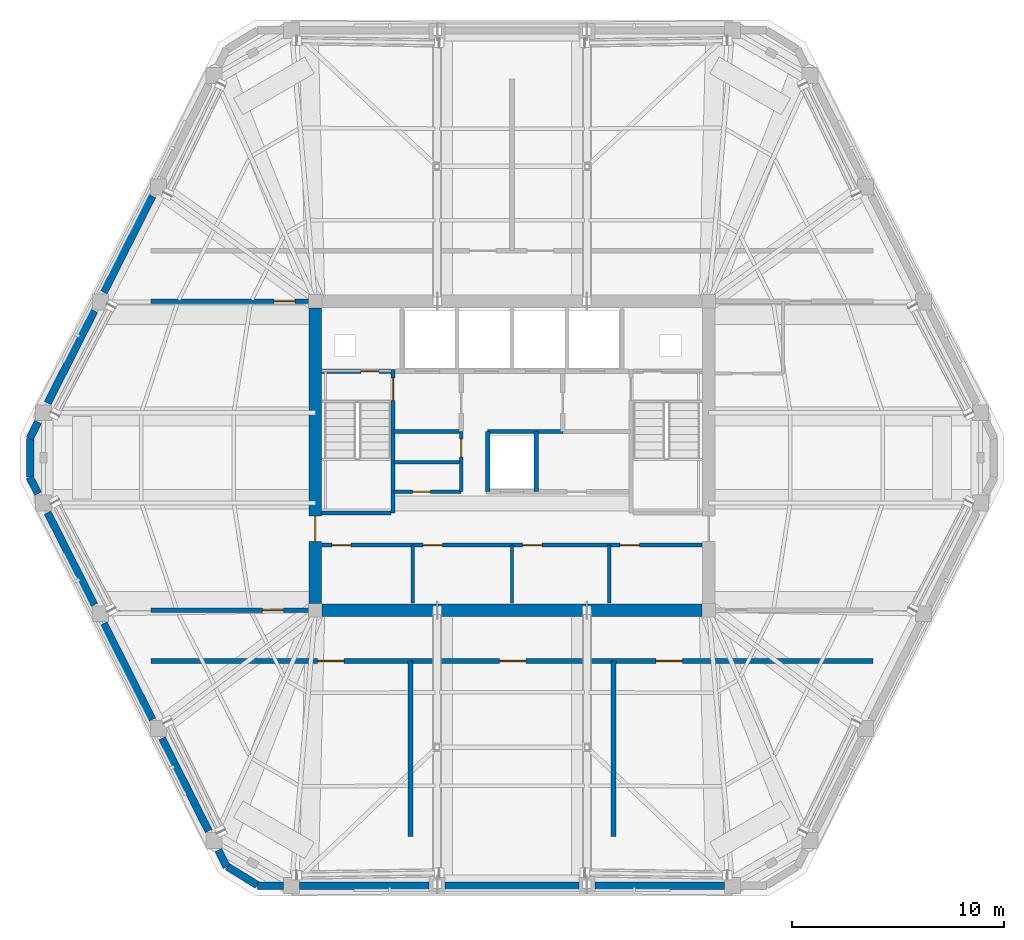
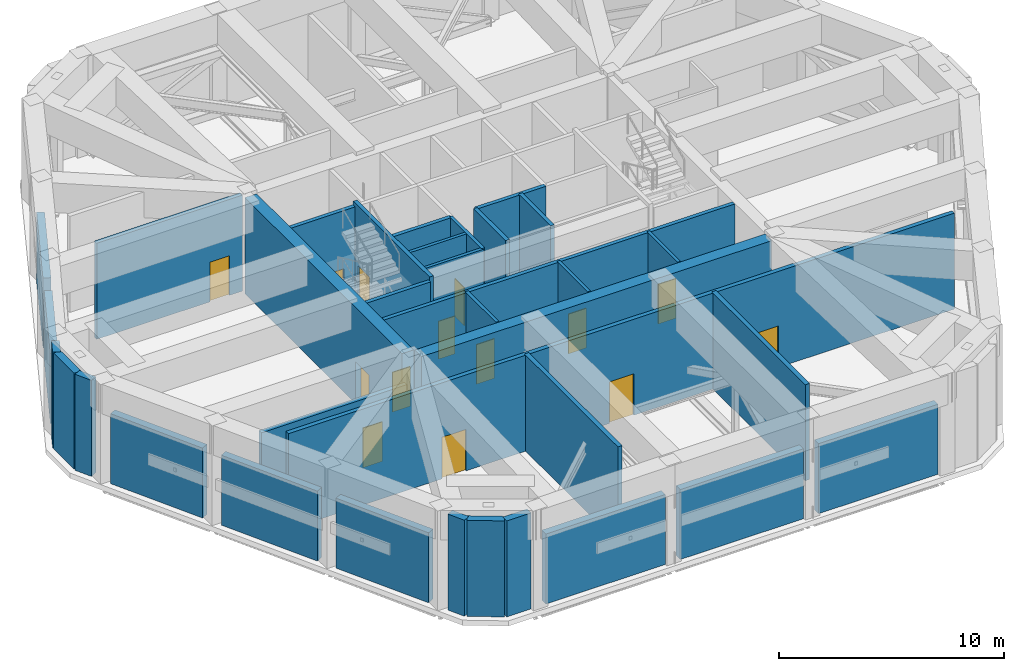
# One storey, part 10 of 15: 35 walls, 14 doors, 14 openings.
"""IFC4 building model written with IfcOpenShell, lengths in metres."""

from ifc_helpers import new_model, si_unit, direction, frame, frame_2d, origin, place, context, subcontext, project, spatial, rectangle, extrude, material, layer, layer_set, type_object, element, fill, save


model = new_model("IFC4")

# Units and contexts
model_context = context("Model", 3, precision=1e-05, world=origin(), true_north=direction((0.0, 1.0)))
body_context = subcontext(model_context, "Body", "Model", "MODEL_VIEW")
ifc_project = project(units=[si_unit("LENGTHUNIT", "METRE"), si_unit("AREAUNIT", "SQUARE_METRE"), si_unit("VOLUMEUNIT", "CUBIC_METRE"), si_unit("PLANEANGLEUNIT", "RADIAN"), si_unit("MASSUNIT", "GRAM", prefix="KILO")], contexts=[model_context])

# Site, building, storey
site_placement = place(None, origin())
site = spatial("IfcSite", under=ifc_project, at=site_placement, CompositionType="ELEMENT")
building_placement = place(site_placement, origin())
building = spatial("IfcBuilding", under=site, at=building_placement, Name="Cinnabar Lancet Tower", CompositionType="ELEMENT")
storey_placement = place(building_placement, frame((0.0, 0.0, 221.60009765625)))
storey = spatial("IfcBuildingStorey", under=building, at=storey_placement, Name="L59", CompositionType="ELEMENT", Elevation=221.60009765625)

# Wall, opening, door
ifc_material_1 = material(Name="Acoustic twin-stud gypsum partition", Category="gypsum")
ifc_layer_1 = layer(ifc_material_1, 0.159912109375)
ifc_layer_set_1 = layer_set([ifc_layer_1], Name="Acoustic twin-stud gypsum partition")
wall_type_1 = type_object("IfcWallType", Name="ARC-WL-CORR-160", PredefinedType="PARTITIONING", material=ifc_layer_set_1)
wall_1_placement = place(storey_placement, frame((26.800048828125, 24.199951171875, 0.0), z_axis=(0.0, 0.0, 1.0), x_axis=(1.0, 0.0, 0.0)))
wall_1 = element("IfcWall", 1, at=wall_1_placement, inside=storey, type_object=wall_type_1, Name="CW-REC5S-L59", PredefinedType="PARTITIONING", context=body_context, shape_type="SweptSolid", body=[
    extrude(rectangle(XDim=3.199951171875, YDim=0.159912109375, at=frame_2d((1.60009765625, 0.0))), origin(), (0.0, 0.0, 1.0), 5.199951171875),
])
opening_1_placement = place(wall_1_placement, frame((0.89990234375, 0.0, 0.0)))
opening_1 = element("IfcOpeningElement", 2, at=opening_1_placement, cuts=wall_1, Name="Opening PD-02", PredefinedType="OPENING", context=body_context, shape_type="SweptSolid", body=[
    extrude(rectangle(XDim=0.85009765625, YDim=2.050048828125, at=frame_2d((0.425048828125, 1.02490234375))), frame((0.0, 0.08984375, 0.0), z_axis=(0.0, -1.0, 0.0), x_axis=(1.0, 0.0, 0.0)), (0.0, 0.0, 1.0), 0.179931640625),
])
ifc_material_2 = material(Name="Fire-rated steel riser access door", Category="steel")
door_type_1 = type_object("IfcDoorType", Name="ARC-DR-RISER", OperationType="NOTDEFINED", PredefinedType="DOOR", material=ifc_material_2)
door_1_placement = place(opening_1_placement, origin())
door_1 = element("IfcDoor", 3, at=door_1_placement, inside=storey, type_object=door_type_1, Name="DR-L59-REC5S", OperationType="SINGLE_SWING_LEFT", OverallHeight=2.050048828125, OverallWidth=0.85009765625, PredefinedType="DOOR", context=body_context, shape_type="SweptSolid", body=[
    extrude(rectangle(XDim=0.85009765625, YDim=2.050048828125, at=frame_2d((0.425048828125, 1.02490234375))), frame((0.0, 0.02490234375, 0.0), z_axis=(0.0, -1.0, 0.0), x_axis=(1.0, 0.0, 0.0)), (0.0, 0.0, 1.0), 0.050048828125),
])
fill(opening_1, door_1)

wall_2_placement = place(storey_placement, frame((30.0, 24.199951171875, 0.0), z_axis=(0.0, 0.0, 1.0), x_axis=(0.0, 1.0, 0.0)))
wall_2 = element("IfcWall", 4, at=wall_2_placement, inside=storey, type_object=wall_type_1, Name="CW-REC5E-L59", PredefinedType="PARTITIONING", context=body_context, shape_type="SweptSolid", body=[
    extrude(rectangle(XDim=2.85009765625, YDim=0.159912109375, at=frame_2d((1.425048828125, 0.0))), origin(), (0.0, 0.0, 1.0), 5.199951171875),
])
opening_2_placement = place(wall_2_placement, frame((1.64990234375, 0.0, 0.0)))
opening_2 = element("IfcOpeningElement", 5, at=opening_2_placement, cuts=wall_2, Name="Opening PD-02", PredefinedType="OPENING", context=body_context, shape_type="SweptSolid", body=[
    extrude(rectangle(XDim=0.85009765625, YDim=2.050048828125, at=frame_2d((0.425048828125, 1.02490234375))), frame((0.0, 0.08984375, 0.0), z_axis=(0.0, -1.0, 0.0), x_axis=(1.0, 0.0, 0.0)), (0.0, 0.0, 1.0), 0.179931640625),
])
door_2_placement = place(opening_2_placement, origin())
door_2 = element("IfcDoor", 6, at=door_2_placement, inside=storey, type_object=door_type_1, Name="DR-L59-REC5N", OperationType="SINGLE_SWING_RIGHT", OverallHeight=2.050048828125, OverallWidth=0.85009765625, PredefinedType="DOOR", context=body_context, shape_type="SweptSolid", body=[
    extrude(rectangle(XDim=0.85009765625, YDim=2.050048828125, at=frame_2d((0.425048828125, 1.02490234375))), frame((0.0, 0.02490234375, 0.0), z_axis=(0.0, -1.0, 0.0), x_axis=(1.0, 0.0, 0.0)), (0.0, 0.0, 1.0), 0.050048828125),
])
fill(opening_2, door_2)

# Walls
wall_3_placement = place(storey_placement, frame((26.800048828125, 25.60009765625, 0.0), z_axis=(0.0, 0.0, 1.0), x_axis=(1.0, 0.0, 0.0)))
element("IfcWall", 7, at=wall_3_placement, inside=storey, type_object=wall_type_1, Name="CW-REC5HZ-L59", PredefinedType="PARTITIONING", context=body_context, shape_type="SweptSolid", body=[
    extrude(rectangle(XDim=3.199951171875, YDim=0.159912109375, at=frame_2d((1.60009765625, 0.0))), origin(), (0.0, 0.0, 1.0), 5.199951171875),
])
for number, where, z_axis, x_axis, name in (
    (8, (27.699951171875, 18.949951171875, 0.0), (0.0, 0.0, 1.0), (0.0, 1.0, 0.0), "CW-SB-2770-L59"),
    (9, (32.39990234375, 18.949951171875, 0.0), (0.0, 0.0, 1.0), (0.0, 1.0, 0.0), "CW-SB-3240-L59"),
    (10, (37.0, 18.949951171875, 0.0), (0.0, 0.0, 1.0), (0.0, 1.0, 0.0), "CW-SB-3700-L59"),
):
    element("IfcWall", number, at=place(storey_placement, frame(where, z_axis=z_axis, x_axis=x_axis)), inside=storey, type_object=wall_type_1, Name=name, PredefinedType="PARTITIONING", context=body_context, shape_type="SweptSolid", body=[
        extrude(rectangle(XDim=2.72998046875, YDim=0.159912109375, at=frame_2d((1.364990234375, 0.0))), origin(), (0.0, 0.0, 1.0), 5.199951171875),
    ])

# Wall, opening, door
ifc_material_3 = material(Name="Acoustic masonry plant room wall", Category="masonry")
ifc_layer_2 = layer(ifc_material_3, 0.219970703125)
ifc_layer_set_2 = layer_set([ifc_layer_2], Name="Acoustic masonry plant room wall")
wall_type_2 = type_object("IfcWallType", Name="ARC-WL-PLANT-220", PredefinedType="PARTITIONING", material=ifc_layer_set_2)
wall_4_placement = place(storey_placement, frame((15.342041015625, 18.60009765625, 0.0), z_axis=(0.0, 0.0, 1.0), x_axis=(1.0, 0.0, 0.0)))
wall_4 = element("IfcWall", 11, at=wall_4_placement, inside=storey, type_object=wall_type_2, Name="PW-L59-RFWS", PredefinedType="PARTITIONING", context=body_context, shape_type="SweptSolid", body=[
    extrude(rectangle(XDim=7.4580078125, YDim=0.219970703125, at=frame_2d((3.72900390625, 0.0))), origin(), (0.0, 0.0, 1.0), 3.789794921875),
])
opening_3_placement = place(wall_4_placement, frame((5.258056640625, 0.0, 0.0)))
opening_3 = element("IfcOpeningElement", 12, at=opening_3_placement, cuts=wall_4, Name="Opening FD-01", PredefinedType="OPENING", context=body_context, shape_type="SweptSolid", body=[
    extrude(rectangle(XDim=1.0, YDim=2.14990234375, at=frame_2d((0.5, 1.074951171875))), frame((0.0, 0.119873046875, 0.0), z_axis=(0.0, -1.0, 0.0), x_axis=(1.0, 0.0, 0.0)), (0.0, 0.0, 1.0), 0.239990234375),
])
ifc_material_4 = material(Name="Fire-rated timber-core lobby door", Category="wood")
door_type_2 = type_object("IfcDoorType", Name="ARC-DR-FFAL", OperationType="NOTDEFINED", PredefinedType="DOOR", material=ifc_material_4)
door_3_placement = place(opening_3_placement, origin())
door_3 = element("IfcDoor", 13, at=door_3_placement, inside=storey, type_object=door_type_2, Name="L59 Plant Corridor Fire Door RWS", OperationType="SINGLE_SWING_LEFT", OverallHeight=2.14990234375, OverallWidth=1.0, PredefinedType="DOOR", context=body_context, shape_type="SweptSolid", body=[
    extrude(rectangle(XDim=1.0, YDim=2.14990234375, at=frame_2d((0.5, 1.074951171875))), frame((0.0, 0.02490234375, 0.0), z_axis=(0.0, -1.0, 0.0), x_axis=(1.0, 0.0, 0.0)), (0.0, 0.0, 1.0), 0.050048828125),
])
fill(opening_3, door_3)

wall_5_placement = place(storey_placement, frame((15.342041015625, 33.199951171875, 0.0), z_axis=(0.0, 0.0, 1.0), x_axis=(1.0, 0.0, 0.0)))
wall_5 = element("IfcWall", 14, at=wall_5_placement, inside=storey, type_object=wall_type_2, Name="PW-L59-RFWN", PredefinedType="PARTITIONING", context=body_context, shape_type="SweptSolid", body=[
    extrude(rectangle(XDim=7.4580078125, YDim=0.219970703125, at=frame_2d((3.72900390625, 0.0))), origin(), (0.0, 0.0, 1.0), 5.199951171875),
])
opening_4_placement = place(wall_5_placement, frame((5.80810546875, 0.0, 0.0)))
opening_4 = element("IfcOpeningElement", 15, at=opening_4_placement, cuts=wall_5, Name="Opening FD-01", PredefinedType="OPENING", context=body_context, shape_type="SweptSolid", body=[
    extrude(rectangle(XDim=1.0, YDim=2.14990234375, at=frame_2d((0.5, 1.074951171875))), frame((0.0, 0.119873046875, 0.0), z_axis=(0.0, -1.0, 0.0), x_axis=(1.0, 0.0, 0.0)), (0.0, 0.0, 1.0), 0.239990234375),
])
door_4_placement = place(opening_4_placement, origin())
door_4 = element("IfcDoor", 16, at=door_4_placement, inside=storey, type_object=door_type_2, Name="L59 Plant Corridor Fire Door RWN", OperationType="SINGLE_SWING_LEFT", OverallHeight=2.14990234375, OverallWidth=1.0, PredefinedType="DOOR", context=body_context, shape_type="SweptSolid", body=[
    extrude(rectangle(XDim=1.0, YDim=2.14990234375, at=frame_2d((0.5, 1.074951171875))), frame((0.0, 0.02490234375, 0.0), z_axis=(0.0, -1.0, 0.0), x_axis=(1.0, 0.0, 0.0)), (0.0, 0.0, 1.0), 0.050048828125),
])
fill(opening_4, door_4)

# Wall, openings, doors
wall_6_placement = place(storey_placement, frame((15.342041015625, 16.199951171875, 0.0), z_axis=(0.0, 0.0, 1.0), x_axis=(1.0, 0.0, 0.0)))
wall_6 = element("IfcWall", 17, at=wall_6_placement, inside=storey, type_object=wall_type_2, Name="PW-L59-SPLS", PredefinedType="PARTITIONING", context=body_context, shape_type="SweptSolid", body=[
    extrude(rectangle(XDim=34.115966796875, YDim=0.219970703125, at=frame_2d((17.05810546875, 0.0))), origin(), (0.0, 0.0, 1.0), 5.199951171875),
])
opening_5_placement = place(wall_6_placement, frame((7.85791015625, 0.0, 0.0)))
opening_5 = element("IfcOpeningElement", 18, at=opening_5_placement, cuts=wall_6, Name="Opening PD-01", PredefinedType="OPENING", context=body_context, shape_type="SweptSolid", body=[
    extrude(rectangle(XDim=1.25, YDim=2.25, at=frame_2d((0.625, 1.125))), frame((0.0, 0.119873046875, 0.0), z_axis=(0.0, -1.0, 0.0), x_axis=(1.0, 0.0, 0.0)), (0.0, 0.0, 1.0), 0.239990234375),
])
opening_6_placement = place(wall_6_placement, frame((16.4580078125, 0.0, 0.0)))
opening_6 = element("IfcOpeningElement", 19, at=opening_6_placement, cuts=wall_6, Name="Opening PD-01", PredefinedType="OPENING", context=body_context, shape_type="SweptSolid", body=[
    extrude(rectangle(XDim=1.25, YDim=2.25, at=frame_2d((0.625, 1.125))), frame((0.0, 0.119873046875, 0.0), z_axis=(0.0, -1.0, 0.0), x_axis=(1.0, 0.0, 0.0)), (0.0, 0.0, 1.0), 0.239990234375),
])
opening_7_placement = place(wall_6_placement, frame((23.85791015625, 0.0, 0.0)))
opening_7 = element("IfcOpeningElement", 20, at=opening_7_placement, cuts=wall_6, Name="Opening PD-01", PredefinedType="OPENING", context=body_context, shape_type="SweptSolid", body=[
    extrude(rectangle(XDim=1.25, YDim=2.25, at=frame_2d((0.625, 1.125))), frame((0.0, 0.119873046875, 0.0), z_axis=(0.0, -1.0, 0.0), x_axis=(1.0, 0.0, 0.0)), (0.0, 0.0, 1.0), 0.239990234375),
])
ifc_material_5 = material(Name="Louvred fire-rated steel plant room double door", Category="steel")
door_type_3 = type_object("IfcDoorType", Name="ARC-DR-PLANT", OperationType="NOTDEFINED", PredefinedType="DOOR", material=ifc_material_5)
door_5_placement = place(opening_5_placement, origin())
door_5 = element("IfcDoor", 21, at=door_5_placement, inside=storey, type_object=door_type_3, Name="DR-L59-SPL1", OperationType="SINGLE_SWING_LEFT", OverallHeight=2.25, OverallWidth=1.25, PredefinedType="DOOR", context=body_context, shape_type="SweptSolid", body=[
    extrude(rectangle(XDim=1.25, YDim=2.25, at=frame_2d((0.625, 1.125))), frame((0.0, 0.02490234375, 0.0), z_axis=(0.0, -1.0, 0.0), x_axis=(1.0, 0.0, 0.0)), (0.0, 0.0, 1.0), 0.050048828125),
])
fill(opening_5, door_5)
door_6_placement = place(opening_6_placement, origin())
door_6 = element("IfcDoor", 22, at=door_6_placement, inside=storey, type_object=door_type_3, Name="DR-L59-SPL2", OperationType="SINGLE_SWING_LEFT", OverallHeight=2.25, OverallWidth=1.25, PredefinedType="DOOR", context=body_context, shape_type="SweptSolid", body=[
    extrude(rectangle(XDim=1.25, YDim=2.25, at=frame_2d((0.625, 1.125))), frame((0.0, 0.02490234375, 0.0), z_axis=(0.0, -1.0, 0.0), x_axis=(1.0, 0.0, 0.0)), (0.0, 0.0, 1.0), 0.050048828125),
])
fill(opening_6, door_6)
door_7_placement = place(opening_7_placement, origin())
door_7 = element("IfcDoor", 23, at=door_7_placement, inside=storey, type_object=door_type_3, Name="DR-L59-SPL3", OperationType="SINGLE_SWING_LEFT", OverallHeight=2.25, OverallWidth=1.25, PredefinedType="DOOR", context=body_context, shape_type="SweptSolid", body=[
    extrude(rectangle(XDim=1.25, YDim=2.25, at=frame_2d((0.625, 1.125))), frame((0.0, 0.02490234375, 0.0), z_axis=(0.0, -1.0, 0.0), x_axis=(1.0, 0.0, 0.0)), (0.0, 0.0, 1.0), 0.050048828125),
])
fill(opening_7, door_7)

# Walls
for number, where, z_axis, x_axis, name in (
    (24, (27.60009765625, 7.89990234375, 0.0), (0.0, 0.0, 1.0), (0.0, 1.0, 0.0), "PW-L59-SDIV-27"),
    (25, (37.199951171875, 7.89990234375, 0.0), (0.0, 0.0, 1.0), (0.0, 1.0, 0.0), "PW-L59-SDIV-37"),
):
    element("IfcWall", number, at=place(storey_placement, frame(where, z_axis=z_axis, x_axis=x_axis)), inside=storey, type_object=wall_type_2, Name=name, PredefinedType="PARTITIONING", context=body_context, shape_type="SweptSolid", body=[
        extrude(rectangle(XDim=8.300048828125, YDim=0.219970703125, at=frame_2d((4.14990234375, 0.0))), origin(), (0.0, 0.0, 1.0), 5.199951171875),
    ])
ifc_material_6 = material(Name="Autoclaved aerated concrete blockwork", Category="masonry")
ifc_layer_3 = layer(ifc_material_6, 0.199951171875)
ifc_layer_set_3 = layer_set([ifc_layer_3], Name="Autoclaved aerated concrete blockwork")
wall_type_3 = type_object("IfcWallType", Name="ARC-WL-SHAFT-200", PredefinedType="PLUMBINGWALL", material=ifc_layer_set_3)
wall_7_placement = place(storey_placement, frame((23.405029296875, 23.199951171875, 0.0), z_axis=(0.0, 0.0, 1.0), x_axis=(1.0, 0.0, 0.0)))
element("IfcWall", 26, at=wall_7_placement, inside=storey, type_object=wall_type_3, Name="CW-ST1S-L59", PredefinedType="PLUMBINGWALL", context=body_context, shape_type="SweptSolid", body=[
    extrude(rectangle(XDim=3.27001953125, YDim=0.199951171875, at=frame_2d((1.635009765625, 0.0))), origin(), (0.0, 0.0, 1.0), 5.199951171875),
])

# Wall, opening, door
wall_8_placement = place(storey_placement, frame((23.405029296875, 29.89990234375, 0.0), z_axis=(0.0, 0.0, 1.0), x_axis=(1.0, 0.0, 0.0)))
wall_8 = element("IfcWall", 27, at=wall_8_placement, inside=storey, type_object=wall_type_3, Name="CW-NSH-W-L59", PredefinedType="PLUMBINGWALL", context=body_context, shape_type="SweptSolid", body=[
    extrude(rectangle(XDim=3.27001953125, YDim=0.199951171875, at=frame_2d((1.635009765625, 0.0))), origin(), (0.0, 0.0, 1.0), 5.199951171875),
])
opening_8_placement = place(wall_8_placement, frame((1.85009765625, 0.0, 0.0)))
opening_8 = element("IfcOpeningElement", 28, at=opening_8_placement, cuts=wall_8, Name="Opening PD-02", PredefinedType="OPENING", context=body_context, shape_type="SweptSolid", body=[
    extrude(rectangle(XDim=0.85009765625, YDim=2.050048828125, at=frame_2d((0.425048828125, 1.02490234375))), frame((0.0, 0.10986328125, 0.0), z_axis=(0.0, -1.0, 0.0), x_axis=(1.0, 0.0, 0.0)), (0.0, 0.0, 1.0), 0.219970703125),
])
door_8_placement = place(opening_8_placement, origin())
door_8 = element("IfcDoor", 29, at=door_8_placement, inside=storey, type_object=door_type_1, Name="L59 West Riser Access Door", OperationType="SINGLE_SWING_LEFT", OverallHeight=2.050048828125, OverallWidth=0.85009765625, PredefinedType="DOOR", context=body_context, shape_type="SweptSolid", body=[
    extrude(rectangle(XDim=0.85009765625, YDim=2.050048828125, at=frame_2d((0.425048828125, 1.02490234375))), frame((0.0, 0.02490234375, 0.0), z_axis=(0.0, -1.0, 0.0), x_axis=(1.0, 0.0, 0.0)), (0.0, 0.0, 1.0), 0.050048828125),
])
fill(opening_8, door_8)

# Walls
wall_9_placement = place(storey_placement, frame((26.800048828125, 27.050048828125, 0.0), z_axis=(0.0, 0.0, 1.0), x_axis=(1.0, 0.0, 0.0)))
element("IfcWall", 30, at=wall_9_placement, inside=storey, type_object=wall_type_3, Name="CW-FF1S-L59", PredefinedType="PLUMBINGWALL", context=body_context, shape_type="SweptSolid", body=[
    extrude(rectangle(XDim=3.199951171875, YDim=0.199951171875, at=frame_2d((1.60009765625, 0.0))), origin(), (0.0, 0.0, 1.0), 5.199951171875),
])
for number, where, z_axis, x_axis, name in (
    (31, (31.25, 24.199951171875, 0.0), (0.0, 0.0, 1.0), (0.0, 1.0, 0.0), "CW-PL9W-L59"),
    (32, (33.550048828125, 24.199951171875, 0.0), (0.0, 0.0, 1.0), (0.0, 1.0, 0.0), "CW-PL9E-L59"),
):
    element("IfcWall", number, at=place(storey_placement, frame(where, z_axis=z_axis, x_axis=x_axis)), inside=storey, type_object=wall_type_3, Name=name, PredefinedType="PLUMBINGWALL", context=body_context, shape_type="SweptSolid", body=[
        extrude(rectangle(XDim=2.85009765625, YDim=0.199951171875, at=frame_2d((1.425048828125, 0.0))), origin(), (0.0, 0.0, 1.0), 5.199951171875),
    ])
wall_10_placement = place(storey_placement, frame((31.25, 27.050048828125, 0.0), z_axis=(0.0, 0.0, 1.0), x_axis=(1.0, 0.0, 0.0)))
element("IfcWall", 33, at=wall_10_placement, inside=storey, type_object=wall_type_3, Name="CW-PL96N-L59", PredefinedType="PLUMBINGWALL", context=body_context, shape_type="SweptSolid", body=[
    extrude(rectangle(XDim=3.550048828125, YDim=0.199951171875, at=frame_2d((1.77490234375, 0.0))), origin(), (0.0, 0.0, 1.0), 5.199951171875),
])

# Wall, openings, doors
wall_11_placement = place(storey_placement, frame((23.419921875, 21.679931640625, 0.0), z_axis=(0.0, 0.0, 1.0), x_axis=(1.0, 0.0, 0.0)))
wall_11 = element("IfcWall", 34, at=wall_11_placement, inside=storey, type_object=wall_type_3, Name="CW-SBANDN-L59", PredefinedType="PLUMBINGWALL", context=body_context, shape_type="SweptSolid", body=[
    extrude(rectangle(XDim=17.9599609375, YDim=0.199951171875, at=frame_2d((8.97998046875, 0.0))), origin(), (0.0, 0.0, 1.0), 5.199951171875),
])
opening_9_placement = place(wall_11_placement, frame((0.4599609375, 0.0, 0.0)))
opening_9 = element("IfcOpeningElement", 35, at=opening_9_placement, cuts=wall_11, Name="Opening RD-01", PredefinedType="OPENING", context=body_context, shape_type="SweptSolid", body=[
    extrude(rectangle(XDim=0.919921875, YDim=2.14990234375, at=frame_2d((0.4599609375, 1.074951171875))), frame((0.0, 0.10986328125, 0.0), z_axis=(0.0, -1.0, 0.0), x_axis=(1.0, 0.0, 0.0)), (0.0, 0.0, 1.0), 0.219970703125),
])
opening_10_placement = place(wall_11_placement, frame((4.780029296875, 0.0, 0.0)))
opening_10 = element("IfcOpeningElement", 36, at=opening_10_placement, cuts=wall_11, Name="Opening RD-01", PredefinedType="OPENING", context=body_context, shape_type="SweptSolid", body=[
    extrude(rectangle(XDim=0.919921875, YDim=2.14990234375, at=frame_2d((0.4599609375, 1.074951171875))), frame((0.0, 0.10986328125, 0.0), z_axis=(0.0, -1.0, 0.0), x_axis=(1.0, 0.0, 0.0)), (0.0, 0.0, 1.0), 0.219970703125),
])
opening_11_placement = place(wall_11_placement, frame((9.47998046875, 0.0, 0.0)))
opening_11 = element("IfcOpeningElement", 37, at=opening_11_placement, cuts=wall_11, Name="Opening RD-01", PredefinedType="OPENING", context=body_context, shape_type="SweptSolid", body=[
    extrude(rectangle(XDim=0.919921875, YDim=2.14990234375, at=frame_2d((0.4599609375, 1.074951171875))), frame((0.0, 0.10986328125, 0.0), z_axis=(0.0, -1.0, 0.0), x_axis=(1.0, 0.0, 0.0)), (0.0, 0.0, 1.0), 0.219970703125),
])
opening_12_placement = place(wall_11_placement, frame((14.080078125, 0.0, 0.0)))
opening_12 = element("IfcOpeningElement", 38, at=opening_12_placement, cuts=wall_11, Name="Opening RD-01", PredefinedType="OPENING", context=body_context, shape_type="SweptSolid", body=[
    extrude(rectangle(XDim=0.919921875, YDim=2.14990234375, at=frame_2d((0.4599609375, 1.074951171875))), frame((0.0, 0.10986328125, 0.0), z_axis=(0.0, -1.0, 0.0), x_axis=(1.0, 0.0, 0.0)), (0.0, 0.0, 1.0), 0.219970703125),
])
ifc_material_7 = material(Name="Engineered timber bedroom door", Category="wood")
door_type_4 = type_object("IfcDoorType", Name="ARC-DR-ROOM", OperationType="NOTDEFINED", PredefinedType="DOOR", material=ifc_material_7)
door_9_placement = place(opening_9_placement, origin())
door_9 = element("IfcDoor", 39, at=door_9_placement, inside=storey, type_object=door_type_4, Name="DR-L59-HREC1", OperationType="SINGLE_SWING_LEFT", OverallHeight=2.14990234375, OverallWidth=0.919921875, PredefinedType="DOOR", context=body_context, shape_type="SweptSolid", body=[
    extrude(rectangle(XDim=0.919921875, YDim=2.14990234375, at=frame_2d((0.4599609375, 1.074951171875))), frame((0.0, 0.02490234375, 0.0), z_axis=(0.0, -1.0, 0.0), x_axis=(1.0, 0.0, 0.0)), (0.0, 0.0, 1.0), 0.050048828125),
])
fill(opening_9, door_9)
door_10_placement = place(opening_10_placement, origin())
door_10 = element("IfcDoor", 40, at=door_10_placement, inside=storey, type_object=door_type_4, Name="DR-L59-HREC2", OperationType="SINGLE_SWING_RIGHT", OverallHeight=2.14990234375, OverallWidth=0.919921875, PredefinedType="DOOR", context=body_context, shape_type="SweptSolid", body=[
    extrude(rectangle(XDim=0.919921875, YDim=2.14990234375, at=frame_2d((0.4599609375, 1.074951171875))), frame((0.0, 0.02490234375, 0.0), z_axis=(0.0, -1.0, 0.0), x_axis=(1.0, 0.0, 0.0)), (0.0, 0.0, 1.0), 0.050048828125),
])
fill(opening_10, door_10)
door_11_placement = place(opening_11_placement, origin())
door_11 = element("IfcDoor", 41, at=door_11_placement, inside=storey, type_object=door_type_4, Name="DR-L59-HREC3", OperationType="SINGLE_SWING_LEFT", OverallHeight=2.14990234375, OverallWidth=0.919921875, PredefinedType="DOOR", context=body_context, shape_type="SweptSolid", body=[
    extrude(rectangle(XDim=0.919921875, YDim=2.14990234375, at=frame_2d((0.4599609375, 1.074951171875))), frame((0.0, 0.02490234375, 0.0), z_axis=(0.0, -1.0, 0.0), x_axis=(1.0, 0.0, 0.0)), (0.0, 0.0, 1.0), 0.050048828125),
])
fill(opening_11, door_11)
door_12_placement = place(opening_12_placement, origin())
door_12 = element("IfcDoor", 42, at=door_12_placement, inside=storey, type_object=door_type_4, Name="DR-L59-HREC4", OperationType="SINGLE_SWING_RIGHT", OverallHeight=2.14990234375, OverallWidth=0.919921875, PredefinedType="DOOR", context=body_context, shape_type="SweptSolid", body=[
    extrude(rectangle(XDim=0.919921875, YDim=2.14990234375, at=frame_2d((0.4599609375, 1.074951171875))), frame((0.0, 0.02490234375, 0.0), z_axis=(0.0, -1.0, 0.0), x_axis=(1.0, 0.0, 0.0)), (0.0, 0.0, 1.0), 0.050048828125),
])
fill(opening_12, door_12)

# Walls
ifc_material_8 = material(Name="Dark charcoal engineering brick", Category="masonry")
ifc_layer_4 = layer(ifc_material_8, 0.360107421875)
ifc_layer_set_4 = layer_set([ifc_layer_4], Name="Dark charcoal engineering brick")
wall_type_4 = type_object("IfcWallType", Name="ENV-WL-BRK-CHR-360", PredefinedType="STANDARD", material=ifc_layer_set_4)
wall_12_placement = place(storey_placement, frame((18.93994140625, 6.48193359375, 0.0), z_axis=(0.0, 0.0, 1.0), x_axis=(0.852179220489, -0.52325001306, 0.0)))
element("IfcWall", 43, at=wall_12_placement, inside=storey, type_object=wall_type_4, Name="L59 Chamfered Corner Brick Pier 1.1", PredefinedType="STANDARD", context=body_context, shape_type="SweptSolid", body=[
    extrude(rectangle(XDim=1.672119140625, YDim=0.360107421875, at=frame_2d((0.8359375, 0.0))), origin(), (0.0, 0.0, 1.0), 5.199951171875),
])
wall_13_placement = place(storey_placement, frame((9.6220703125, 26.705078125, 0.0), z_axis=(0.0, 0.0, 1.0), x_axis=(0.0, -1.0, 0.0)))
element("IfcWall", 44, at=wall_13_placement, inside=storey, type_object=wall_type_4, Name="L59 Chamfered Corner Brick Pier 6.1", PredefinedType="STANDARD", context=body_context, shape_type="SweptSolid", body=[
    extrude(rectangle(XDim=1.81005859375, YDim=0.360107421875, at=frame_2d((0.905029296875, 0.0))), origin(), (0.0, 0.0, 1.0), 5.199951171875),
])
wall_14_placement = place(storey_placement, frame((20.35888671875, 5.580078125, 0.0), z_axis=(0.0, 0.0, 1.0), x_axis=(1.0, 0.0, 0.0)))
element("IfcWall", 45, at=wall_14_placement, inside=storey, type_object=wall_type_4, Name="L59 Face 1 Masonry Bay Wall 1", PredefinedType="STANDARD", context=body_context, shape_type="SweptSolid", body=[
    extrude(rectangle(XDim=1.2412109375, YDim=0.360107421875, at=frame_2d((0.62060546875, 0.0))), origin(), (0.0, 0.0, 1.0), 5.199951171875),
])
wall_15_placement = place(storey_placement, frame((22.35791015625, 5.580078125, 0.0), z_axis=(0.0, 0.0, 1.0), x_axis=(1.0, 0.0, 0.0)))
element("IfcWall", 46, at=wall_15_placement, inside=storey, type_object=wall_type_4, Name="L59 Face 1 Masonry Bay Wall 2", PredefinedType="STANDARD", context=body_context, shape_type="SweptSolid", body=[
    extrude(rectangle(XDim=6.1201171875, YDim=0.360107421875, at=frame_2d((3.06005859375, 0.0))), origin(), (0.0, 0.0, 1.0), 3.789794921875),
])
wall_16_placement = place(storey_placement, frame((29.236083984375, 5.580078125, 0.0), z_axis=(0.0, 0.0, 1.0), x_axis=(1.0, 0.0, 0.0)))
element("IfcWall", 47, at=wall_16_placement, inside=storey, type_object=wall_type_4, Name="L59 Face 1 Masonry Bay Wall 3", PredefinedType="STANDARD", context=body_context, shape_type="SweptSolid", body=[
    extrude(rectangle(XDim=6.327880859375, YDim=0.360107421875, at=frame_2d((3.1640625, 0.0))), origin(), (0.0, 0.0, 1.0), 3.789794921875),
])
wall_17_placement = place(storey_placement, frame((36.322021484375, 5.580078125, 0.0), z_axis=(0.0, 0.0, 1.0), x_axis=(1.0, 0.0, 0.0)))
element("IfcWall", 48, at=wall_17_placement, inside=storey, type_object=wall_type_4, Name="L59 Face 1 Masonry Bay Wall 4", PredefinedType="STANDARD", context=body_context, shape_type="SweptSolid", body=[
    extrude(rectangle(XDim=6.119873046875, YDim=0.360107421875, at=frame_2d((3.06005859375, 0.0))), origin(), (0.0, 0.0, 1.0), 3.789794921875),
])
wall_18_placement = place(storey_placement, frame((15.39697265625, 38.173095703125, 0.0), z_axis=(0.0, 0.0, 1.0), x_axis=(-0.451276600056, -0.892384127067, 0.0)))
element("IfcWall", 49, at=wall_18_placement, inside=storey, type_object=wall_type_4, Name="L59 Face 5 Masonry Bay Wall 3", PredefinedType="STANDARD", context=body_context, shape_type="SweptSolid", body=[
    extrude(rectangle(XDim=5.08984375, YDim=0.360107421875, at=frame_2d((2.544921875, 0.0))), origin(), (0.0, 0.0, 1.0), 3.789794921875),
])
wall_19_placement = place(storey_placement, frame((12.653076171875, 32.7470703125, 0.0), z_axis=(0.0, 0.0, 1.0), x_axis=(-0.451410620906, -0.892316340394, 0.0)))
element("IfcWall", 50, at=wall_19_placement, inside=storey, type_object=wall_type_4, Name="L59 Face 5 Masonry Bay Wall 4", PredefinedType="STANDARD", context=body_context, shape_type="SweptSolid", body=[
    extrude(rectangle(XDim=4.880615234375, YDim=0.360107421875, at=frame_2d((2.4404296875, 0.0))), origin(), (0.0, 0.0, 1.0), 3.789794921875),
])
for number, where, z_axis, x_axis, name in (
    (51, (9.9951171875, 27.492919921875, 0.0), (0.0, 0.0, 1.0), (-0.451337256404, -0.892353450703, 0.0), "L59 Face 5 Masonry Bay Wall 5"),
    (52, (9.60009765625, 24.887939453125, 0.0), (0.0, 0.0, 1.0), (0.451337256404, -0.892353450703, 0.0), "L59 Face 6 Masonry Bay Wall 1"),
):
    element("IfcWall", number, at=place(storey_placement, frame(where, z_axis=z_axis, x_axis=x_axis)), inside=storey, type_object=wall_type_4, Name=name, PredefinedType="STANDARD", context=body_context, shape_type="SweptSolid", body=[
        extrude(rectangle(XDim=0.875244140625, YDim=0.360107421875, at=frame_2d((0.4375, 0.0))), origin(), (0.0, 0.0, 1.0), 5.199951171875),
    ])
wall_20_placement = place(storey_placement, frame((10.449951171875, 23.2080078125, 0.0), z_axis=(0.0, 0.0, 1.0), x_axis=(0.451410620906, -0.892316340394, 0.0)))
element("IfcWall", 53, at=wall_20_placement, inside=storey, type_object=wall_type_4, Name="L59 Face 6 Masonry Bay Wall 2", PredefinedType="STANDARD", context=body_context, shape_type="SweptSolid", body=[
    extrude(rectangle(XDim=4.880615234375, YDim=0.360107421875, at=frame_2d((2.4404296875, 0.0))), origin(), (0.0, 0.0, 1.0), 3.789794921875),
])
wall_21_placement = place(storey_placement, frame((13.10009765625, 17.968994140625, 0.0), z_axis=(0.0, 0.0, 1.0), x_axis=(0.451276600056, -0.892384127067, 0.0)))
element("IfcWall", 54, at=wall_21_placement, inside=storey, type_object=wall_type_4, Name="L59 Face 6 Masonry Bay Wall 3", PredefinedType="STANDARD", context=body_context, shape_type="SweptSolid", body=[
    extrude(rectangle(XDim=5.08984375, YDim=0.360107421875, at=frame_2d((2.544921875, 0.0))), origin(), (0.0, 0.0, 1.0), 3.789794921875),
])
wall_22_placement = place(storey_placement, frame((15.845947265625, 12.541015625, 0.0), z_axis=(0.0, 0.0, 1.0), x_axis=(0.451389625798, -0.892326961221, 0.0)))
element("IfcWall", 55, at=wall_22_placement, inside=storey, type_object=wall_type_4, Name="L59 Face 6 Masonry Bay Wall 4", PredefinedType="STANDARD", context=body_context, shape_type="SweptSolid", body=[
    extrude(rectangle(XDim=4.905029296875, YDim=0.360107421875, at=frame_2d((2.45263671875, 0.0))), origin(), (0.0, 0.0, 1.0), 3.789794921875),
])
wall_23_placement = place(storey_placement, frame((18.51806640625, 7.258056640625, 0.0), z_axis=(0.0, 0.0, 1.0), x_axis=(0.451165850885, -0.89244012404, 0.0)))
element("IfcWall", 56, at=wall_23_placement, inside=storey, type_object=wall_type_4, Name="L59 Face 6 Masonry Bay Wall 5", PredefinedType="STANDARD", context=body_context, shape_type="SweptSolid", body=[
    extrude(rectangle(XDim=0.888427734375, YDim=0.360107421875, at=frame_2d((0.4443359375, 0.0))), origin(), (0.0, 0.0, 1.0), 5.199951171875),
])
ifc_material_9 = material(Name="Concrete C60/75", Category="concrete")
ifc_layer_5 = layer(ifc_material_9, 0.60009765625)
ifc_layer_set_5 = layer_set([ifc_layer_5], Name="Concrete C60/75")
wall_type_5 = type_object("IfcWallType", Name="STR-WL-CORE-600", PredefinedType="SHEAR", material=ifc_layer_set_5)
wall_24_placement = place(storey_placement, frame((23.425048828125, 18.60009765625, 0.0), z_axis=(0.0, 0.0, 1.0), x_axis=(1.0, 0.0, 0.0)))
element("IfcWall", 57, at=wall_24_placement, inside=storey, type_object=wall_type_5, Name="L59 Core Shear Wall S", PredefinedType="SHEAR", context=body_context, shape_type="SweptSolid", body=[
    extrude(rectangle(XDim=17.949951171875, YDim=0.60009765625, at=frame_2d((8.97509765625, 0.0))), origin(), (0.0, 0.0, 1.0), 5.199951171875),
])

# Wall, opening, door
wall_25_placement = place(storey_placement, frame((23.10009765625, 18.925048828125, 0.0), z_axis=(0.0, 0.0, 1.0), x_axis=(0.0, 1.0, 0.0)))
wall_25 = element("IfcWall", 58, at=wall_25_placement, inside=storey, type_object=wall_type_5, Name="L59 Core Shear Wall W", PredefinedType="SHEAR", context=body_context, shape_type="SweptSolid", body=[
    extrude(rectangle(XDim=13.949951171875, YDim=0.60009765625, at=frame_2d((6.97509765625, 0.0))), origin(), (0.0, 0.0, 1.0), 5.199951171875),
])
opening_13_placement = place(wall_25_placement, frame((2.9150390625, 0.0, 0.0)))
opening_13 = element("IfcOpeningElement", 59, at=opening_13_placement, cuts=wall_25, Name="Opening FD-02", PredefinedType="OPENING", context=body_context, shape_type="SweptSolid", body=[
    extrude(rectangle(XDim=1.219970703125, YDim=2.25, at=frame_2d((0.60986328125, 1.125))), frame((0.0, 0.31005859375, 0.0), z_axis=(0.0, -1.0, 0.0), x_axis=(1.0, 0.0, 0.0)), (0.0, 0.0, 1.0), 0.6201171875),
])
ifc_material_10 = material(Name="Fire-rated double-vision core portal door", Category="wood")
door_type_5 = type_object("IfcDoorType", Name="ARC-DR-CPORT", OperationType="NOTDEFINED", PredefinedType="DOOR", material=ifc_material_10)
door_13_placement = place(opening_13_placement, origin())
door_13 = element("IfcDoor", 60, at=door_13_placement, inside=storey, type_object=door_type_5, Name="L59 West Core Lobby Fire Door", OperationType="SINGLE_SWING_RIGHT", OverallHeight=2.25, OverallWidth=1.219970703125, PredefinedType="DOOR", context=body_context, shape_type="SweptSolid", body=[
    extrude(rectangle(XDim=1.219970703125, YDim=2.25, at=frame_2d((0.60986328125, 1.125))), frame((0.0, 0.02490234375, 0.0), z_axis=(0.0, -1.0, 0.0), x_axis=(1.0, 0.0, 0.0)), (0.0, 0.0, 1.0), 0.050048828125),
])
fill(opening_13, door_13)

ifc_material_11 = material(Name="Concrete C50/60", Category="concrete")
ifc_layer_6 = layer(ifc_material_11, 0.199951171875)
ifc_layer_set_6 = layer_set([ifc_layer_6], Name="Concrete C50/60")
wall_type_6 = type_object("IfcWallType", Name="STR-WL-STAIR-200", PredefinedType="SHEAR", material=ifc_layer_set_6)
wall_26_placement = place(storey_placement, frame((26.780029296875, 23.199951171875, 0.0), z_axis=(0.0, 0.0, 1.0), x_axis=(0.0, 1.0, 0.0)))
wall_26 = element("IfcWall", 61, at=wall_26_placement, inside=storey, type_object=wall_type_6, Name="L59 Stair ST-1 Structural Enclosure Wall", PredefinedType="SHEAR", context=body_context, shape_type="SweptSolid", body=[
    extrude(rectangle(XDim=6.780029296875, YDim=0.199951171875, at=frame_2d((3.39013671875, 0.0))), origin(), (0.0, 0.0, 1.0), 5.39990234375),
])
opening_14_placement = place(wall_26_placement, frame((5.320068359375, 0.0, 0.0)))
opening_14 = element("IfcOpeningElement", 62, at=opening_14_placement, cuts=wall_26, Name="Opening SD-01", PredefinedType="OPENING", context=body_context, shape_type="SweptSolid", body=[
    extrude(rectangle(XDim=1.050048828125, YDim=2.14990234375, at=frame_2d((0.52490234375, 1.074951171875))), frame((0.0, 0.10986328125, 0.0), z_axis=(0.0, -1.0, 0.0), x_axis=(1.0, 0.0, 0.0)), (0.0, 0.0, 1.0), 0.219970703125),
])
ifc_material_12 = material(Name="Fire-rated steel stair exit door", Category="steel")
door_type_6 = type_object("IfcDoorType", Name="ARC-DR-STAIR", OperationType="NOTDEFINED", PredefinedType="DOOR", material=ifc_material_12)
door_14_placement = place(opening_14_placement, origin())
door_14 = element("IfcDoor", 63, at=door_14_placement, inside=storey, type_object=door_type_6, Name="L59 Stair ST-1 Fire Door", OperationType="SINGLE_SWING_LEFT", OverallHeight=2.14990234375, OverallWidth=1.050048828125, PredefinedType="DOOR", context=body_context, shape_type="SweptSolid", body=[
    extrude(rectangle(XDim=1.050048828125, YDim=2.14990234375, at=frame_2d((0.52490234375, 1.074951171875))), frame((0.0, 0.02490234375, 0.0), z_axis=(0.0, -1.0, 0.0), x_axis=(1.0, 0.0, 0.0)), (0.0, 0.0, 1.0), 0.050048828125),
])
fill(opening_14, door_14)

save(model, "model.ifc")
